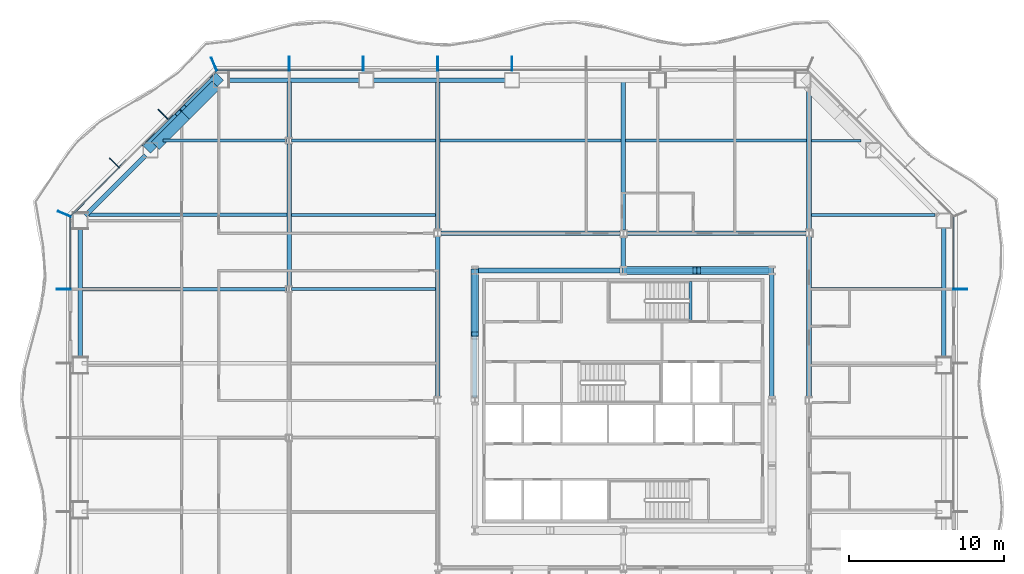
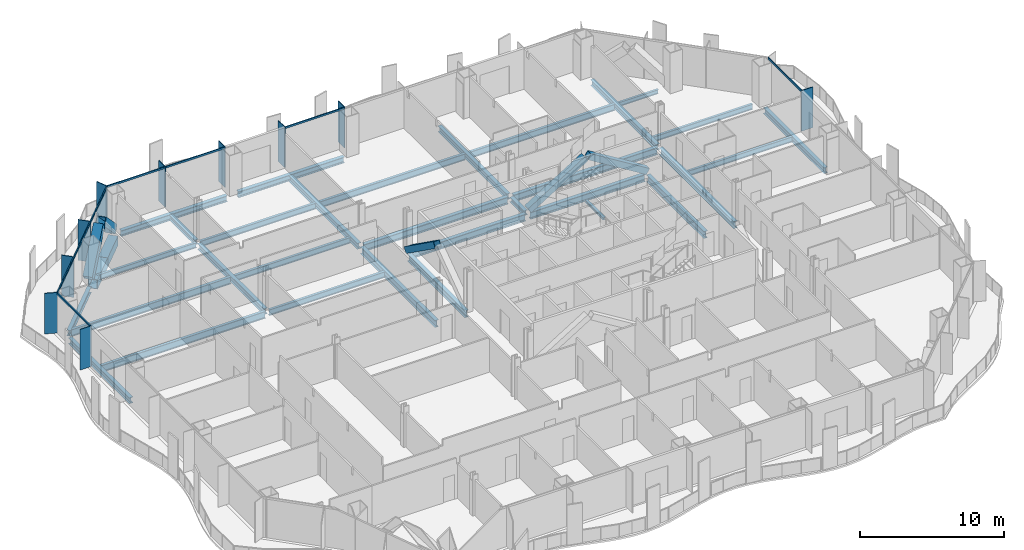
# One storey, part 3 of 21: 33 beams, 23 members, 4 elements without a shape of their own.
"""IFC4 building model written with IfcOpenShell, lengths in metres."""

import ifcopenshell
import ifcopenshell.guid

model = None  # the IFC model being written
_history = None  # IfcOwnerHistory: only IFC2X3 demands one
_inside = {}  # id of a spatial element -> (the spatial element, [elements in it])
_under = {}  # id of a project, library or spatial element -> (it, [spatial elements below it])
_declared = {}  # id of a project -> (the project, [libraries it declares])
_typed = {}  # id of a type object -> (the type object, [elements of that type])
_made_of = {}  # id of a material, layer set ... -> (it, [elements and type objects made of it])


def new_model(schema):
    """Start an empty IFC model of exactly this schema.

    Asked for "IFC4X3", IfcOpenShell would pick the latest addendum, in which some entities
    have other attributes; the version numbers below select the first issue.
    IFC2X3 requires an IfcOwnerHistory on every rooted entity: one is made here for all.
    """
    global model, _history
    if schema == "IFC4X3":
        model = ifcopenshell.file(schema_version=(4, 3, 0, 0))
    else:
        model = ifcopenshell.file(schema=schema)
    _inside.clear()
    _under.clear()
    _declared.clear()
    _typed.clear()
    _made_of.clear()
    _history = None
    if model.schema == "IFC2X3":
        org = make("IfcOrganization", Name="unknown")
        user = make(
            "IfcPersonAndOrganization",
            ThePerson=make("IfcPerson", FamilyName="unknown"),
            TheOrganization=org,
        )
        app = make(
            "IfcApplication",
            ApplicationDeveloper=org,
            Version="unknown",
            ApplicationFullName="unknown",
            ApplicationIdentifier="unknown",
        )
        _history = make(
            "IfcOwnerHistory",
            OwningUser=user,
            OwningApplication=app,
            ChangeAction="ADDED",
            CreationDate=0,
        )
    return model


def make(cls, **values):
    """One entity of the class cls with the attributes given. An attribute that is None is left unset."""
    return model.create_entity(
        cls, **{name: value for name, value in values.items() if value is not None}
    )


def rooted(cls, **values):
    """An entity with a GlobalId (a new one), such as an element, a storey or a relation."""
    return make(cls, GlobalId=ifcopenshell.guid.new(), OwnerHistory=_history, **values)


def si_unit(unit_type, name, prefix=None):
    """IfcSIUnit, for example si_unit("LENGTHUNIT", "METRE", prefix="MILLI")."""
    return make("IfcSIUnit", UnitType=unit_type, Prefix=prefix, Name=name)


def assignment(units):
    """IfcUnitAssignment: the units of a project."""
    return None if units is None else make("IfcUnitAssignment", Units=units)


def point(xyz):
    """IfcCartesianPoint."""
    return None if xyz is None else make("IfcCartesianPoint", Coordinates=xyz)


def direction(xyz):
    """IfcDirection."""
    return None if xyz is None else make("IfcDirection", DirectionRatios=xyz)


def frame(location, z_axis=None, x_axis=None):
    """IfcAxis2Placement3D, a coordinate frame: its origin and axes. An axis left out is left unset."""
    return make(
        "IfcAxis2Placement3D",
        Location=point(location),
        Axis=direction(z_axis),
        RefDirection=direction(x_axis),
    )


def frame_2d(location, x_axis=None):
    """IfcAxis2Placement2D, a coordinate frame in the plane: its origin and x axis."""
    return make(
        "IfcAxis2Placement2D", Location=point(location), RefDirection=direction(x_axis)
    )


def origin():
    """The frame at (0, 0, 0) with its axes left unset."""
    return frame((0.0, 0.0, 0.0))


def origin_2d():
    """The frame at (0, 0) in the plane with its x axis left unset."""
    return frame_2d((0.0, 0.0))


def place(relative_to, where):
    """IfcLocalPlacement: puts the frame where relative to a parent placement (None: the world)."""
    return make(
        "IfcLocalPlacement", PlacementRelTo=relative_to, RelativePlacement=where
    )


def context(
    kind, dimensions, precision=None, world=None, true_north=None, identifier=None
):
    """IfcGeometricRepresentationContext, for example the 3D "Model" context."""
    return make(
        "IfcGeometricRepresentationContext",
        ContextIdentifier=identifier,
        ContextType=kind,
        CoordinateSpaceDimension=dimensions,
        Precision=precision,
        WorldCoordinateSystem=world,
        TrueNorth=true_north,
    )


def subcontext(parent, identifier, kind, view, scale=None):
    """IfcGeometricRepresentationSubContext, for example "Body" below "Model"."""
    return make(
        "IfcGeometricRepresentationSubContext",
        ContextIdentifier=identifier,
        ContextType=kind,
        ParentContext=parent,
        TargetScale=scale,
        TargetView=view,
    )


def project(units=None, contexts=None):
    """IfcProject with its units and contexts."""
    return rooted(
        "IfcProject",
        Name="project",
        RepresentationContexts=contexts,
        UnitsInContext=assignment(units),
    )


def spatial(cls, under=None, at=None, **own):
    """A site, building, storey or space (cls), placed at a placement, below another one or the project."""
    s = rooted(cls, ObjectPlacement=at, **own)
    if under is not None:
        _under.setdefault(under.id(), (under, []))[1].append(s)
    return s


def profile(cls, at=None, kind="AREA", **sizes):
    """A parametric profile (cls). Its sizes go by their IFC names, for example OverallWidth=200.0."""
    return make(cls, ProfileType=kind, Position=at, **sizes)


def rectangle(**sizes):
    """IfcRectangleProfileDef."""
    return profile("IfcRectangleProfileDef", **sizes)


def hollow_rectangle(**sizes):
    """IfcRectangleHollowProfileDef."""
    return profile("IfcRectangleHollowProfileDef", **sizes)


def i_section(**sizes):
    """IfcIShapeProfileDef."""
    return profile("IfcIShapeProfileDef", **sizes)


def extrude(swept, where, along, depth):
    """IfcExtrudedAreaSolid: the profile swept, set in the frame where, extruded along a direction by depth."""
    return make(
        "IfcExtrudedAreaSolid",
        SweptArea=swept,
        Position=where,
        ExtrudedDirection=direction(along),
        Depth=depth,
    )


def shape(context_of_items, identifier, shape_type, items):
    """IfcShapeRepresentation: the items that make up one representation, for example the "Body"."""
    return make(
        "IfcShapeRepresentation",
        ContextOfItems=context_of_items,
        RepresentationIdentifier=identifier,
        RepresentationType=shape_type,
        Items=items,
    )


def material(Name=None, Category=None):
    """IfcMaterial."""
    return make("IfcMaterial", Name=Name, Category=Category)


def material_profile(
    of_material, cross_section, Name=None, Category=None, Priority=None
):
    """IfcMaterialProfile: a cross section and its material."""
    return make(
        "IfcMaterialProfile",
        Name=Name,
        Material=of_material,
        Profile=cross_section,
        Priority=Priority,
        Category=Category,
    )


def profile_set(profiles, Name=None, composite=None):
    """IfcMaterialProfileSet."""
    return make(
        "IfcMaterialProfileSet",
        Name=Name,
        MaterialProfiles=profiles,
        CompositeProfile=composite,
    )


def made_of(thing, what):
    """Note that an element or type object is made of a material, layer set ...; save() writes the relation."""
    if what is not None:
        _made_of.setdefault(what.id(), (what, []))[1].append(thing)
    return thing


def type_object(cls, material=None, **own):
    """A type object (cls), such as IfcWallType, which elements share."""
    return made_of(rooted(cls, **own), material)


def element(
    cls,
    number,
    at=None,
    inside=None,
    cuts=None,
    type_object=None,
    material=None,
    context=None,
    identifier="Body",
    shape_type=None,
    held_by="IfcProductDefinitionShape",
    body=None,
    shapes=None,
    **own,
):
    """One element of the class cls, such as IfcWall. Its Tag is "e" and its number.

    at: its placement. inside: the storey or other place that contains it. cuts: it is an
    opening in that element (IfcRelVoidsElement). A single representation is given by context,
    identifier, shape_type and body (its items); several are given by shapes. held_by: the class
    of the entity that holds the representations. save() writes the other relations.
    """
    e = rooted(cls, Tag="e%d" % number, ObjectPlacement=at, **own)
    if body is not None:
        shapes = [shape(context, identifier, shape_type, body)]
    if shapes is not None:
        e.Representation = make(held_by, Representations=shapes)
    if inside is not None:
        _inside.setdefault(inside.id(), (inside, []))[1].append(e)
    if cuts is not None:
        rooted(
            "IfcRelVoidsElement", RelatingBuildingElement=cuts, RelatedOpeningElement=e
        )
    if type_object is not None:
        _typed.setdefault(type_object.id(), (type_object, []))[1].append(e)
    return made_of(e, material)


def aggregate(whole, parts):
    """IfcRelAggregates: a whole, such as a stair, and the parts it consists of."""
    return rooted("IfcRelAggregates", RelatingObject=whole, RelatedObjects=parts)


def save(model, path):
    """Write the relations noted so far, then the file.

    IfcRelAggregates (storeys below a building ...), IfcRelContainedInSpatialStructure (elements
    in a storey), IfcRelDefinesByType, IfcRelAssociatesMaterial and IfcRelDeclares: one each for
    every whole, place, type object, material and project.
    """
    for whole, parts in _under.values():
        aggregate(whole, parts)
    for where, things in _inside.values():
        rooted(
            "IfcRelContainedInSpatialStructure",
            RelatedElements=things,
            RelatingStructure=where,
        )
    for kind, things in _typed.values():
        rooted("IfcRelDefinesByType", RelatedObjects=things, RelatingType=kind)
    for what, things in _made_of.values():
        rooted("IfcRelAssociatesMaterial", RelatedObjects=things, RelatingMaterial=what)
    for by, libraries in _declared.values():
        rooted("IfcRelDeclares", RelatingContext=by, RelatedDefinitions=libraries)
    model.write(path)


model = new_model("IFC4")

# Units and contexts
model_context = context("Model", 3, precision=1e-05, world=origin(), true_north=direction((0.0, 1.0)))
body_context = subcontext(model_context, "Body", "Model", "MODEL_VIEW")
ifc_project = project(units=[si_unit("LENGTHUNIT", "METRE"), si_unit("AREAUNIT", "SQUARE_METRE"), si_unit("VOLUMEUNIT", "CUBIC_METRE"), si_unit("PLANEANGLEUNIT", "RADIAN"), si_unit("MASSUNIT", "GRAM", prefix="KILO")], contexts=[model_context])

# Site, building, storey
site_placement = place(None, origin())
site = spatial("IfcSite", under=ifc_project, at=site_placement, CompositionType="ELEMENT")
building_placement = place(site_placement, origin())
building = spatial("IfcBuilding", under=site, at=building_placement, Name="Cairn Pilgrim Tower", CompositionType="ELEMENT")
storey_placement = place(building_placement, frame((0.0, 0.0, 54.60009765625)))
storey = spatial("IfcBuildingStorey", under=building, at=storey_placement, Name="L11", CompositionType="ELEMENT", Elevation=54.60009765625)

# Members
ifc_material_1 = material(Name="Structural steel S460M", Category="steel")
ifc_material_profile_1 = material_profile(ifc_material_1, hollow_rectangle(XDim=0.5, YDim=0.5, WallThickness=0.030029296875, at=origin_2d()), Name="BOX 500x500x30")
ifc_profile_set_1 = profile_set([ifc_material_profile_1], Name="Structural steel S460M")
member_type_1 = type_object("IfcMemberType", Name="BOX 500x500x30 BRACE", PredefinedType="BRACE", material=ifc_profile_set_1)
member_1_placement = place(storey_placement, frame((16.754638671875, 10.800048828125, 0.099853515625), z_axis=(-0.850917090612, 0.0, 0.525300014187), x_axis=(0.0, -1.0, 0.0)))
element("IfcMember", 1, at=member_1_placement, inside=storey, type_object=member_type_1, Name="KB-3A", PredefinedType="BRACE", context=body_context, shape_type="SweptSolid", body=[
    extrude(hollow_rectangle(XDim=0.5, YDim=0.5, WallThickness=0.030029296875, at=origin_2d()), origin(), (0.0, 0.0, 1.0), 5.525146484375),
])
member_2_placement = place(storey_placement, frame((7.245361328125, 10.800048828125, 0.099853515625), z_axis=(0.850919818074, 0.0, 0.52529559603), x_axis=(0.0, 1.0, 0.0)))
element("IfcMember", 2, at=member_2_placement, inside=storey, type_object=member_type_1, Name="KB-3B", PredefinedType="BRACE", context=body_context, shape_type="SweptSolid", body=[
    extrude(hollow_rectangle(XDim=0.5, YDim=0.5, WallThickness=0.030029296875, at=origin_2d()), origin(), (0.0, 0.0, 1.0), 5.375),
])
member_3_placement = place(storey_placement, frame((-2.39990234375, 10.754638671875, 0.099853515625), z_axis=(0.0, -0.814060275911, 0.580780394972), x_axis=(1.0, 0.0, 0.0)))
element("IfcMember", 3, at=member_3_placement, inside=storey, type_object=member_type_1, Name="KB-4A", PredefinedType="BRACE", context=body_context, shape_type="SweptSolid", body=[
    extrude(hollow_rectangle(XDim=0.5, YDim=0.5, WallThickness=0.030029296875, at=origin_2d()), origin(), (0.0, 0.0, 1.0), 4.9951171875),
])
ifc_material_profile_2 = material_profile(ifc_material_1, hollow_rectangle(XDim=0.699951171875, YDim=0.699951171875, WallThickness=0.0400390625, at=origin_2d()), Name="BOX 700x700x40")
ifc_profile_set_2 = profile_set([ifc_material_profile_2], Name="Structural steel S460M")
member_type_2 = type_object("IfcMemberType", Name="BOX 700x700x40 BRACE", PredefinedType="BRACE", material=ifc_profile_set_2)
member_4_placement = place(storey_placement, frame((-19.0498046875, 23.181396484375, 0.14990234375), z_axis=(-0.528096125699, -0.528096125699, 0.665002980477), x_axis=(0.707106781187, -0.707106781187, 0.0)))
element("IfcMember", 4, at=member_4_placement, inside=storey, type_object=member_type_2, Name="XB-NW1-NW2-1", PredefinedType="BRACE", context=body_context, shape_type="SweptSolid", body=[
    extrude(hollow_rectangle(XDim=0.699951171875, YDim=0.699951171875, WallThickness=0.0400390625, at=origin_2d()), origin(), (0.0, 0.0, 1.0), 3.89990234375),
])
member_5_placement = place(storey_placement, frame((-23.44482421875, 18.786376953125, 0.14990234375), z_axis=(0.528068439288, 0.528068439288, 0.665046950866), x_axis=(-0.707106781187, 0.707106781187, 0.0)))
element("IfcMember", 5, at=member_5_placement, inside=storey, type_object=member_type_2, Name="XB-NW1-NW2-2", PredefinedType="BRACE", context=body_context, shape_type="SweptSolid", body=[
    extrude(hollow_rectangle(XDim=0.699951171875, YDim=0.699951171875, WallThickness=0.0400390625, at=origin_2d()), origin(), (0.0, 0.0, 1.0), 3.899658203125),
])

# Beams
ifc_material_2 = material(Name="Structural steel S355J2", Category="steel")
ifc_material_profile_3 = material_profile(ifc_material_2, hollow_rectangle(XDim=0.699951171875, YDim=0.800048828125, WallThickness=0.0400390625, at=origin_2d()), Name="BOX 700x800x40")
ifc_profile_set_3 = profile_set([ifc_material_profile_3], Name="Structural steel S355J2")
beam_type_1 = type_object("IfcBeamType", Name="BOX 700x800x40 RING GIRDER", PredefinedType="SPANDREL", material=ifc_profile_set_3)
for number, where, z_axis, x_axis, name in (
    (6, (-19.1455078125, 22.78173828125, -0.550048828125), (-0.707106781187, -0.707106781187, 0.0), (0.707106781187, -0.707106781187, 0.0), "RG1-NW1-NW2-1"),
    (7, (-21.095458984375, 20.831787109375, -0.550048828125), (-0.707106781187, -0.707106781187, 0.0), (0.707106781187, -0.707106781187, 0.0), "RG1-NW1-NW2-2"),
):
    element("IfcBeam", number, at=place(storey_placement, frame(where, z_axis=z_axis, x_axis=x_axis)), inside=storey, type_object=beam_type_1, Name=name, PredefinedType="SPANDREL", context=body_context, shape_type="SweptSolid", body=[
        extrude(hollow_rectangle(XDim=0.699951171875, YDim=0.800048828125, WallThickness=0.0400390625, at=origin_2d()), origin(), (0.0, 0.0, 1.0), 2.757568359375),
    ])

# Curtain wall, member
ifc_material_3 = material(Name="Aluminium alloy 6063-T6 bronze anodised with Bronze tinted laminated low-E glass 8+16+8.8", Category="aluminium")
curtain_wall_type_1 = type_object("IfcCurtainWallType", Name="TOWER STICK CURTAIN WALL EW", PredefinedType="NOTDEFINED", material=ifc_material_3)
curtain_wall_1_placement = place(storey_placement, origin())
curtain_wall_1 = element("IfcCurtainWall", 8, at=curtain_wall_1_placement, inside=storey, type_object=curtain_wall_type_1, Name="Tower Stick Curtain Wall Ew E", PredefinedType="NOTDEFINED")
ifc_material_4 = material(Name="Aluminium alloy 6063-T6 bronze anodised", Category="aluminium")
ifc_material_profile_4 = material_profile(ifc_material_4, rectangle(XDim=0.89990234375, YDim=0.06005859375, at=origin_2d()), Name="FIN MULLION 60x900 BRONZE")
ifc_profile_set_4 = profile_set([ifc_material_profile_4], Name="Aluminium alloy 6063-T6 bronze anodised")
member_type_3 = type_object("IfcMemberType", Name="FIN MULLION 60x900 BRONZE", PredefinedType="MULLION", material=ifc_profile_set_4)
member_6_placement = place(storey_placement, frame((28.969970703125, 9.60009765625, 0.0), z_axis=(0.0, 0.0, 1.0), x_axis=(1.0, 0.0, 0.0)))
member_6 = element("IfcMember", 9, at=member_6_placement, type_object=member_type_3, Name="Fin mullion E6", PredefinedType="MULLION", context=body_context, shape_type="SweptSolid", body=[
    extrude(rectangle(XDim=0.89990234375, YDim=0.06005859375, at=origin_2d()), origin(), (0.0, 0.0, 1.0), 3.449951171875),
])

# Curtain wall, members
curtain_wall_type_2 = type_object("IfcCurtainWallType", Name="TOWER STICK CURTAIN WALL NS", PredefinedType="NOTDEFINED", material=ifc_material_3)
curtain_wall_2_placement = place(storey_placement, origin())
curtain_wall_2 = element("IfcCurtainWall", 10, at=curtain_wall_2_placement, inside=storey, type_object=curtain_wall_type_2, Name="Tower Stick Curtain Wall Ns N", PredefinedType="NOTDEFINED")
member_7_placement = place(storey_placement, frame((0.0, 24.169921875, 0.0), z_axis=(0.0, 0.0, 1.0), x_axis=(0.0, 1.0, 0.0)))
member_7 = element("IfcMember", 11, at=member_7_placement, type_object=member_type_3, Name="Fin mullion N5", PredefinedType="MULLION", context=body_context, shape_type="SweptSolid", body=[
    extrude(rectangle(XDim=0.89990234375, YDim=0.06005859375, at=origin_2d()), origin(), (0.0, 0.0, 1.0), 3.449951171875),
])
member_8_placement = place(storey_placement, frame((-4.800048828125, 24.169921875, 0.0), z_axis=(0.0, 0.0, 1.0), x_axis=(0.0, 1.0, 0.0)))
member_8 = element("IfcMember", 12, at=member_8_placement, type_object=member_type_3, Name="Fin mullion N6", PredefinedType="MULLION", context=body_context, shape_type="SweptSolid", body=[
    extrude(rectangle(XDim=0.89990234375, YDim=0.06005859375, at=origin_2d()), origin(), (0.0, 0.0, 1.0), 3.449951171875),
])
member_9_placement = place(storey_placement, frame((-9.60009765625, 24.169921875, 0.0), z_axis=(0.0, 0.0, 1.0), x_axis=(0.0, 1.0, 0.0)))
member_9 = element("IfcMember", 13, at=member_9_placement, type_object=member_type_3, Name="Fin mullion N7", PredefinedType="MULLION", context=body_context, shape_type="SweptSolid", body=[
    extrude(rectangle(XDim=0.89990234375, YDim=0.06005859375, at=origin_2d()), origin(), (0.0, 0.0, 1.0), 3.449951171875),
])
member_10_placement = place(storey_placement, frame((-14.39990234375, 24.169921875, 0.0), z_axis=(0.0, 0.0, 1.0), x_axis=(0.0, 1.0, 0.0)))
member_10 = element("IfcMember", 14, at=member_10_placement, type_object=member_type_3, Name="Fin mullion N8", PredefinedType="MULLION", context=body_context, shape_type="SweptSolid", body=[
    extrude(rectangle(XDim=0.89990234375, YDim=0.06005859375, at=origin_2d()), origin(), (0.0, 0.0, 1.0), 3.449951171875),
])

curtain_wall_type_3 = type_object("IfcCurtainWallType", Name="CHAMFER CORNER CURTAIN WALL", PredefinedType="NOTDEFINED", material=ifc_material_3)
curtain_wall_3_placement = place(storey_placement, origin())
curtain_wall_3 = element("IfcCurtainWall", 15, at=curtain_wall_3_placement, inside=storey, type_object=curtain_wall_type_3, Name="Chamfer Corner Curtain Wall NW", PredefinedType="NOTDEFINED")
member_11_placement = place(storey_placement, frame((-19.257080078125, 24.137939453125, 0.0), z_axis=(0.0, 0.0, 1.0), x_axis=(-0.382683432365, 0.923879532511, 0.0)))
member_11 = element("IfcMember", 16, at=member_11_placement, type_object=member_type_3, Name="Fin mullion NW1", PredefinedType="MULLION", context=body_context, shape_type="SweptSolid", body=[
    extrude(rectangle(XDim=0.89990234375, YDim=0.06005859375, at=origin_2d()), origin(), (0.0, 0.0, 1.0), 3.449951171875),
])
member_12_placement = place(storey_placement, frame((-22.544677734375, 20.895751953125, 0.0), z_axis=(0.0, 0.0, 1.0), x_axis=(-0.707106781187, 0.707106781187, 0.0)))
member_12 = element("IfcMember", 17, at=member_12_placement, type_object=member_type_3, Name="Fin mullion NW2", PredefinedType="MULLION", context=body_context, shape_type="SweptSolid", body=[
    extrude(rectangle(XDim=0.89990234375, YDim=0.06005859375, at=origin_2d()), origin(), (0.0, 0.0, 1.0), 3.449951171875),
])
member_13_placement = place(storey_placement, frame((-25.69580078125, 17.74462890625, 0.0), z_axis=(0.0, 0.0, 1.0), x_axis=(-0.707106781187, 0.707106781187, 0.0)))
member_13 = element("IfcMember", 18, at=member_13_placement, type_object=member_type_3, Name="Fin mullion NW3", PredefinedType="MULLION", context=body_context, shape_type="SweptSolid", body=[
    extrude(rectangle(XDim=0.89990234375, YDim=0.06005859375, at=origin_2d()), origin(), (0.0, 0.0, 1.0), 3.449951171875),
])

curtain_wall_4_placement = place(storey_placement, origin())
curtain_wall_4 = element("IfcCurtainWall", 19, at=curtain_wall_4_placement, inside=storey, type_object=curtain_wall_type_1, Name="Tower Stick Curtain Wall Ew W", PredefinedType="NOTDEFINED")
member_14_placement = place(storey_placement, frame((-28.93798828125, 14.457275390625, 0.0), z_axis=(0.0, 0.0, 1.0), x_axis=(-0.923879532511, 0.382683432365, 0.0)))
member_14 = element("IfcMember", 20, at=member_14_placement, type_object=member_type_3, Name="Fin mullion W1", PredefinedType="MULLION", context=body_context, shape_type="SweptSolid", body=[
    extrude(rectangle(XDim=0.89990234375, YDim=0.06005859375, at=origin_2d()), origin(), (0.0, 0.0, 1.0), 3.449951171875),
])
member_15_placement = place(storey_placement, frame((-28.969970703125, 9.60009765625, 0.0), z_axis=(0.0, 0.0, 1.0), x_axis=(-1.0, 0.0, 0.0)))
member_15 = element("IfcMember", 21, at=member_15_placement, type_object=member_type_3, Name="Fin mullion W2", PredefinedType="MULLION", context=body_context, shape_type="SweptSolid", body=[
    extrude(rectangle(XDim=0.89990234375, YDim=0.06005859375, at=origin_2d()), origin(), (0.0, 0.0, 1.0), 3.449951171875),
])

# Beams
ifc_material_profile_5 = material_profile(ifc_material_2, i_section(OverallWidth=0.300048828125, OverallDepth=0.39990234375, WebThickness=0.013427734375, FlangeThickness=0.02392578125, FilletRadius=0.027099609375, at=origin_2d()), Name="HEB 400")
ifc_profile_set_5 = profile_set([ifc_material_profile_5], Name="Structural steel S355J2")
beam_type_2 = type_object("IfcBeamType", Name="HEB 400 GIRDER", PredefinedType="BEAM", material=ifc_profile_set_5)
beam_1_placement = place(storey_placement, frame((-14.39990234375, 19.404541015625, -0.35009765625), z_axis=(0.0, 1.0, 0.0), x_axis=(-1.0, 0.0, 0.0)))
element("IfcBeam", 22, at=beam_1_placement, inside=storey, type_object=beam_type_2, Name="PG1-6", PredefinedType="BEAM", context=body_context, shape_type="SweptSolid", body=[
    extrude(i_section(OverallWidth=0.300048828125, OverallDepth=0.39990234375, WebThickness=0.013427734375, FlangeThickness=0.02392578125, FilletRadius=0.027099609375, at=origin_2d()), origin(), (0.0, 0.0, 1.0), 3.575439453125),
])
beam_2_placement = place(storey_placement, frame((7.199951171875, 11.027099609375, -0.35009765625), z_axis=(0.0, 1.0, 0.0), x_axis=(-1.0, 0.0, 0.0)))
element("IfcBeam", 23, at=beam_2_placement, inside=storey, type_object=beam_type_2, Name="PG3-E2", PredefinedType="BEAM", context=body_context, shape_type="SweptSolid", body=[
    extrude(i_section(OverallWidth=0.300048828125, OverallDepth=0.39990234375, WebThickness=0.013427734375, FlangeThickness=0.02392578125, FilletRadius=0.027099609375, at=origin_2d()), origin(), (0.0, 0.0, 1.0), 1.9609375),
])
ifc_material_profile_6 = material_profile(ifc_material_2, i_section(OverallWidth=0.300048828125, OverallDepth=0.5, WebThickness=0.014404296875, FlangeThickness=0.028076171875, FilletRadius=0.027099609375, at=origin_2d()), Name="HEB 500")
ifc_profile_set_6 = profile_set([ifc_material_profile_6], Name="Structural steel S355J2")
beam_type_3 = type_object("IfcBeamType", Name="HEB 500 GIRDER", PredefinedType="BEAM", material=ifc_profile_set_6)
beam_3_placement = place(storey_placement, frame((-14.39990234375, 9.804443359375, -0.400146484375), z_axis=(0.0, 1.0, 0.0), x_axis=(-1.0, 0.0, 0.0)))
element("IfcBeam", 24, at=beam_3_placement, inside=storey, type_object=beam_type_3, Name="PG1-5", PredefinedType="BEAM", context=body_context, shape_type="SweptSolid", body=[
    extrude(i_section(OverallWidth=0.300048828125, OverallDepth=0.5, WebThickness=0.014404296875, FlangeThickness=0.028076171875, FilletRadius=0.027099609375, at=origin_2d()), origin(), (0.0, 0.0, 1.0), 9.191162109375),
])
for number, where, z_axis, x_axis, name in (
    (25, (-4.800048828125, 13.412109375, -0.400146484375), (0.0, 1.0, 0.0), (-1.0, 0.0, 0.0), "PG2-4"),
    (26, (7.199951171875, 13.412109375, -0.400146484375), (0.0, 1.0, 0.0), (-1.0, 0.0, 0.0), "PG3-2"),
):
    element("IfcBeam", number, at=place(storey_placement, frame(where, z_axis=z_axis, x_axis=x_axis)), inside=storey, type_object=beam_type_3, Name=name, PredefinedType="BEAM", context=body_context, shape_type="SweptSolid", body=[
        extrude(i_section(OverallWidth=0.300048828125, OverallDepth=0.5, WebThickness=0.014404296875, FlangeThickness=0.028076171875, FilletRadius=0.027099609375, at=origin_2d()), origin(), (0.0, 0.0, 1.0), 9.56787109375),
    ])
beam_4_placement = place(storey_placement, frame((19.199951171875, 13.412109375, -0.400146484375), z_axis=(0.0, 1.0, 0.0), x_axis=(-1.0, 0.0, 0.0)))
element("IfcBeam", 27, at=beam_4_placement, inside=storey, type_object=beam_type_3, Name="PG4-4", PredefinedType="BEAM", context=body_context, shape_type="SweptSolid", body=[
    extrude(i_section(OverallWidth=0.300048828125, OverallDepth=0.5, WebThickness=0.014404296875, FlangeThickness=0.028076171875, FilletRadius=0.027099609375, at=origin_2d()), origin(), (0.0, 0.0, 1.0), 9.133056640625),
])
ifc_material_profile_7 = material_profile(ifc_material_2, i_section(OverallWidth=0.300048828125, OverallDepth=0.5, WebThickness=0.014404296875, FlangeThickness=0.028076171875, FilletRadius=0.027099609375, at=origin_2d()), Name="HEB 500")
ifc_profile_set_7 = profile_set([ifc_material_profile_7], Name="Structural steel S355J2")
beam_type_4 = type_object("IfcBeamType", Name="HEB 500 RING GIRDER", PredefinedType="SPANDREL", material=ifc_profile_set_7)
beam_5_placement = place(storey_placement, frame((27.89990234375, 5.125732421875, -0.400146484375), z_axis=(0.0, 1.0, 0.0), x_axis=(-1.0, 0.0, 0.0)))
element("IfcBeam", 28, at=beam_5_placement, inside=storey, type_object=beam_type_4, Name="RG1-E3-NE1", PredefinedType="SPANDREL", context=body_context, shape_type="SweptSolid", body=[
    extrude(i_section(OverallWidth=0.300048828125, OverallDepth=0.5, WebThickness=0.014404296875, FlangeThickness=0.028076171875, FilletRadius=0.027099609375, at=origin_2d()), origin(), (0.0, 0.0, 1.0), 8.451416015625),
])
for number, where, z_axis, x_axis, name in (
    (29, (-0.449951171875, 23.10009765625, -0.400146484375), (-1.0, 0.0, 0.0), (0.0, -1.0, 0.0), "RG1-N3-N4"),
    (30, (-9.863525390625, 23.10009765625, -0.400146484375), (-1.0, 0.0, 0.0), (0.0, -1.0, 0.0), "RG1-N4-NW1"),
):
    element("IfcBeam", number, at=place(storey_placement, frame(where, z_axis=z_axis, x_axis=x_axis)), inside=storey, type_object=beam_type_4, Name=name, PredefinedType="SPANDREL", context=body_context, shape_type="SweptSolid", body=[
        extrude(i_section(OverallWidth=0.300048828125, OverallDepth=0.5, WebThickness=0.014404296875, FlangeThickness=0.028076171875, FilletRadius=0.027099609375, at=origin_2d()), origin(), (0.0, 0.0, 1.0), 8.513671875),
    ])
beam_6_placement = place(storey_placement, frame((-23.681884765625, 18.245361328125, -0.400146484375), z_axis=(-0.707106781187, -0.707106781187, 0.0), x_axis=(0.707106781187, -0.707106781187, 0.0)))
element("IfcBeam", 31, at=beam_6_placement, inside=storey, type_object=beam_type_4, Name="RG1-NW2-W1", PredefinedType="SPANDREL", context=body_context, shape_type="SweptSolid", body=[
    extrude(i_section(OverallWidth=0.300048828125, OverallDepth=0.5, WebThickness=0.014404296875, FlangeThickness=0.028076171875, FilletRadius=0.027099609375, at=origin_2d()), origin(), (0.0, 0.0, 1.0), 5.515380859375),
])
beam_7_placement = place(storey_placement, frame((-27.89990234375, 13.5771484375, -0.400146484375), z_axis=(0.0, -1.0, 0.0), x_axis=(1.0, 0.0, 0.0)))
element("IfcBeam", 32, at=beam_7_placement, inside=storey, type_object=beam_type_4, Name="RG1-W1-W2", PredefinedType="SPANDREL", context=body_context, shape_type="SweptSolid", body=[
    extrude(i_section(OverallWidth=0.300048828125, OverallDepth=0.5, WebThickness=0.014404296875, FlangeThickness=0.028076171875, FilletRadius=0.027099609375, at=origin_2d()), origin(), (0.0, 0.0, 1.0), 8.451416015625),
])
ifc_material_profile_8 = material_profile(ifc_material_2, i_section(OverallWidth=0.300048828125, OverallDepth=0.60009765625, WebThickness=0.015380859375, FlangeThickness=0.030029296875, FilletRadius=0.027099609375, at=origin_2d()), Name="HEB 600")
ifc_profile_set_8 = profile_set([ifc_material_profile_8], Name="Structural steel S355J2")
beam_type_5 = type_object("IfcBeamType", Name="HEB 600 CORE BEAM", PredefinedType="BEAM", material=ifc_profile_set_8)
beam_8_placement = place(storey_placement, frame((16.800048828125, 2.604248046875, -0.4501953125), z_axis=(0.0, 1.0, 0.0), x_axis=(-1.0, 0.0, 0.0)))
element("IfcBeam", 33, at=beam_8_placement, inside=storey, type_object=beam_type_5, Name="CB-4", PredefinedType="BEAM", context=body_context, shape_type="SweptSolid", body=[
    extrude(i_section(OverallWidth=0.300048828125, OverallDepth=0.60009765625, WebThickness=0.015380859375, FlangeThickness=0.030029296875, FilletRadius=0.027099609375, at=origin_2d()), origin(), (0.0, 0.0, 1.0), 7.991455078125),
])
for number, where, z_axis, x_axis, name in (
    (34, (16.595703125, 10.800048828125, -0.4501953125), (-1.0, 0.0, 0.0), (0.0, -1.0, 0.0), "CB-5"),
    (35, (6.99560546875, 10.800048828125, -0.4501953125), (-1.0, 0.0, 0.0), (0.0, -1.0, 0.0), "CB-6"),
):
    element("IfcBeam", number, at=place(storey_placement, frame(where, z_axis=z_axis, x_axis=x_axis)), inside=storey, type_object=beam_type_5, Name=name, PredefinedType="BEAM", context=body_context, shape_type="SweptSolid", body=[
        extrude(i_section(OverallWidth=0.300048828125, OverallDepth=0.60009765625, WebThickness=0.015380859375, FlangeThickness=0.030029296875, FilletRadius=0.027099609375, at=origin_2d()), origin(), (0.0, 0.0, 1.0), 9.19140625),
    ])
beam_9_placement = place(storey_placement, frame((-2.39990234375, 10.595703125, -0.4501953125), z_axis=(0.0, -1.0, 0.0), x_axis=(1.0, 0.0, 0.0)))
element("IfcBeam", 36, at=beam_9_placement, inside=storey, type_object=beam_type_5, Name="CB-7", PredefinedType="BEAM", context=body_context, shape_type="SweptSolid", body=[
    extrude(i_section(OverallWidth=0.300048828125, OverallDepth=0.60009765625, WebThickness=0.015380859375, FlangeThickness=0.030029296875, FilletRadius=0.027099609375, at=origin_2d()), origin(), (0.0, 0.0, 1.0), 7.991455078125),
])
ifc_material_profile_9 = material_profile(ifc_material_2, i_section(OverallWidth=0.300048828125, OverallDepth=0.60009765625, WebThickness=0.015380859375, FlangeThickness=0.030029296875, FilletRadius=0.027099609375, at=origin_2d()), Name="HEB 600")
ifc_profile_set_9 = profile_set([ifc_material_profile_9], Name="Structural steel S355J2")
beam_type_6 = type_object("IfcBeamType", Name="HEB 600 GIRDER", PredefinedType="BEAM", material=ifc_profile_set_9)
for number, where, z_axis, x_axis, name in (
    (37, (-4.800048828125, 2.612060546875, -0.4501953125), (0.0, 1.0, 0.0), (-1.0, 0.0, 0.0), "PG2-3"),
    (38, (19.199951171875, 2.612060546875, -0.4501953125), (0.0, 1.0, 0.0), (-1.0, 0.0, 0.0), "PG4-3"),
):
    element("IfcBeam", number, at=place(storey_placement, frame(where, z_axis=z_axis, x_axis=x_axis)), inside=storey, type_object=beam_type_6, Name=name, PredefinedType="BEAM", context=body_context, shape_type="SweptSolid", body=[
        extrude(i_section(OverallWidth=0.300048828125, OverallDepth=0.60009765625, WebThickness=0.015380859375, FlangeThickness=0.030029296875, FilletRadius=0.027099609375, at=origin_2d()), origin(), (0.0, 0.0, 1.0), 10.3759765625),
    ])
ifc_material_profile_10 = material_profile(ifc_material_2, i_section(OverallWidth=0.300048828125, OverallDepth=0.60009765625, WebThickness=0.015380859375, FlangeThickness=0.030029296875, FilletRadius=0.027099609375, at=origin_2d()), Name="HEB 600")
ifc_profile_set_10 = profile_set([ifc_material_profile_10], Name="Structural steel S355J2")
beam_type_7 = type_object("IfcBeamType", Name="HEB 600 INNER GIRDER", PredefinedType="BEAM", material=ifc_profile_set_10)
for number, where, z_axis, x_axis, name in (
    (39, (-4.587890625, 13.199951171875, -0.4501953125), (1.0, 0.0, 0.0), (0.0, 1.0, 0.0), "IG2-1"),
    (40, (7.412109375, 13.199951171875, -0.4501953125), (1.0, 0.0, 0.0), (0.0, 1.0, 0.0), "IG2-2"),
):
    element("IfcBeam", number, at=place(storey_placement, frame(where, z_axis=z_axis, x_axis=x_axis)), inside=storey, type_object=beam_type_7, Name=name, PredefinedType="BEAM", context=body_context, shape_type="SweptSolid", body=[
        extrude(i_section(OverallWidth=0.300048828125, OverallDepth=0.60009765625, WebThickness=0.015380859375, FlangeThickness=0.030029296875, FilletRadius=0.027099609375, at=origin_2d()), origin(), (0.0, 0.0, 1.0), 11.575927734375),
    ])
ifc_material_profile_11 = material_profile(ifc_material_2, i_section(OverallWidth=0.169921875, OverallDepth=0.360107421875, WebThickness=0.008056640625, FlangeThickness=0.0126953125, FilletRadius=0.01806640625, at=origin_2d()), Name="IPE 360")
ifc_profile_set_11 = profile_set([ifc_material_profile_11], Name="Structural steel S355J2")
beam_type_8 = type_object("IfcBeamType", Name="IPE 360 SECONDARY BEAM", PredefinedType="JOIST", material=ifc_profile_set_11)
beam_10_placement = place(storey_placement, frame((19.35009765625, 19.199951171875, -0.330078125), z_axis=(1.0, 0.0, 0.0), x_axis=(0.0, 1.0, 0.0)))
element("IfcBeam", 41, at=beam_10_placement, inside=storey, type_object=beam_type_8, Name="SB9-5", PredefinedType="JOIST", context=body_context, shape_type="SweptSolid", body=[
    extrude(i_section(OverallWidth=0.169921875, OverallDepth=0.360107421875, WebThickness=0.008056640625, FlangeThickness=0.0126953125, FilletRadius=0.01806640625, at=origin_2d()), origin(), (0.0, 0.0, 1.0), 3.195068359375),
])
ifc_material_profile_12 = material_profile(ifc_material_2, i_section(OverallWidth=0.18994140625, OverallDepth=0.449951171875, WebThickness=0.009521484375, FlangeThickness=0.0146484375, FilletRadius=0.02099609375, at=origin_2d()), Name="IPE 450")
ifc_profile_set_12 = profile_set([ifc_material_profile_12], Name="Structural steel S355J2")
beam_type_9 = type_object("IfcBeamType", Name="IPE 450 SECONDARY BEAM", PredefinedType="JOIST", material=ifc_profile_set_12)
beam_11_placement = place(storey_placement, frame((19.35009765625, 9.60009765625, -0.375), z_axis=(1.0, 0.0, 0.0), x_axis=(0.0, 1.0, 0.0)))
element("IfcBeam", 42, at=beam_11_placement, inside=storey, type_object=beam_type_9, Name="SB7-3", PredefinedType="JOIST", context=body_context, shape_type="SweptSolid", body=[
    extrude(i_section(OverallWidth=0.18994140625, OverallDepth=0.449951171875, WebThickness=0.009521484375, FlangeThickness=0.0146484375, FilletRadius=0.02099609375, at=origin_2d()), origin(), (0.0, 0.0, 1.0), 8.429931640625),
])
for number, where, z_axis, x_axis, name in (
    (43, (19.35009765625, 14.39990234375, -0.375), (1.0, 0.0, 0.0), (0.0, 1.0, 0.0), "SB8-3"),
    (44, (-22.545166015625, 19.199951171875, -0.375), (1.0, 0.0, 0.0), (0.0, 1.0, 0.0), "SB9-1"),
):
    element("IfcBeam", number, at=place(storey_placement, frame(where, z_axis=z_axis, x_axis=x_axis)), inside=storey, type_object=beam_type_9, Name=name, PredefinedType="JOIST", context=body_context, shape_type="SweptSolid", body=[
        extrude(i_section(OverallWidth=0.18994140625, OverallDepth=0.449951171875, WebThickness=0.009521484375, FlangeThickness=0.0146484375, FilletRadius=0.02099609375, at=origin_2d()), origin(), (0.0, 0.0, 1.0), 7.9951171875),
    ])
ifc_material_profile_13 = material_profile(ifc_material_2, i_section(OverallWidth=0.199951171875, OverallDepth=0.5, WebThickness=0.01025390625, FlangeThickness=0.01611328125, FilletRadius=0.02099609375, at=origin_2d()), Name="IPE 500")
ifc_profile_set_13 = profile_set([ifc_material_profile_13], Name="Structural steel S355J2")
beam_type_10 = type_object("IfcBeamType", Name="IPE 500 SECONDARY BEAM", PredefinedType="JOIST", material=ifc_profile_set_13)
for number, where, z_axis, x_axis, name in (
    (45, (-14.25, 9.60009765625, -0.400146484375), (1.0, 0.0, 0.0), (0.0, 1.0, 0.0), "SB7-2"),
    (46, (-14.25, 14.39990234375, -0.400146484375), (1.0, 0.0, 0.0), (0.0, 1.0, 0.0), "SB8-2"),
    (47, (-14.25, 19.199951171875, -0.400146484375), (1.0, 0.0, 0.0), (0.0, 1.0, 0.0), "SB9-2"),
):
    element("IfcBeam", number, at=place(storey_placement, frame(where, z_axis=z_axis, x_axis=x_axis)), inside=storey, type_object=beam_type_10, Name=name, PredefinedType="JOIST", context=body_context, shape_type="SweptSolid", body=[
        extrude(i_section(OverallWidth=0.199951171875, OverallDepth=0.5, WebThickness=0.01025390625, FlangeThickness=0.01611328125, FilletRadius=0.02099609375, at=origin_2d()), origin(), (0.0, 0.0, 1.0), 9.300048828125),
    ])
ifc_material_profile_14 = material_profile(ifc_material_2, i_section(OverallWidth=0.2099609375, OverallDepth=0.550048828125, WebThickness=0.010986328125, FlangeThickness=0.01708984375, FilletRadius=0.02392578125, at=origin_2d()), Name="IPE 550")
ifc_profile_set_14 = profile_set([ifc_material_profile_14], Name="Structural steel S355J2")
beam_type_11 = type_object("IfcBeamType", Name="IPE 550 SECONDARY BEAM", PredefinedType="JOIST", material=ifc_profile_set_14)
for number, where, z_axis, x_axis, name in (
    (48, (-4.64990234375, 19.199951171875, -0.425048828125), (1.0, 0.0, 0.0), (0.0, 1.0, 0.0), "SB9-3"),
    (49, (7.35009765625, 19.199951171875, -0.425048828125), (1.0, 0.0, 0.0), (0.0, 1.0, 0.0), "SB9-4"),
):
    element("IfcBeam", number, at=place(storey_placement, frame(where, z_axis=z_axis, x_axis=x_axis)), inside=storey, type_object=beam_type_11, Name=name, PredefinedType="JOIST", context=body_context, shape_type="SweptSolid", body=[
        extrude(i_section(OverallWidth=0.2099609375, OverallDepth=0.550048828125, WebThickness=0.010986328125, FlangeThickness=0.01708984375, FilletRadius=0.02392578125, at=origin_2d()), origin(), (0.0, 0.0, 1.0), 11.699951171875),
    ])
ifc_material_profile_15 = material_profile(ifc_material_2, i_section(OverallWidth=0.219970703125, OverallDepth=0.60009765625, WebThickness=0.011962890625, FlangeThickness=0.01904296875, FilletRadius=0.02392578125, at=origin_2d()), Name="IPE 600")
ifc_profile_set_15 = profile_set([ifc_material_profile_15], Name="Structural steel S355J2")
beam_type_12 = type_object("IfcBeamType", Name="IPE 600 SECONDARY BEAM", PredefinedType="JOIST", material=ifc_profile_set_15)
beam_12_placement = place(storey_placement, frame((-27.780029296875, 9.60009765625, -0.4501953125), z_axis=(1.0, 0.0, 0.0), x_axis=(0.0, 1.0, 0.0)))
element("IfcBeam", 50, at=beam_12_placement, inside=storey, type_object=beam_type_12, Name="SB7-1", PredefinedType="JOIST", context=body_context, shape_type="SweptSolid", body=[
    extrude(i_section(OverallWidth=0.219970703125, OverallDepth=0.60009765625, WebThickness=0.011962890625, FlangeThickness=0.01904296875, FilletRadius=0.02392578125, at=origin_2d()), origin(), (0.0, 0.0, 1.0), 13.22998046875),
])
beam_13_placement = place(storey_placement, frame((-27.34521484375, 14.39990234375, -0.4501953125), z_axis=(1.0, 0.0, 0.0), x_axis=(0.0, 1.0, 0.0)))
element("IfcBeam", 51, at=beam_13_placement, inside=storey, type_object=beam_type_12, Name="SB8-1", PredefinedType="JOIST", context=body_context, shape_type="SweptSolid", body=[
    extrude(i_section(OverallWidth=0.219970703125, OverallDepth=0.60009765625, WebThickness=0.011962890625, FlangeThickness=0.01904296875, FilletRadius=0.02392578125, at=origin_2d()), origin(), (0.0, 0.0, 1.0), 12.795166015625),
])
ifc_material_profile_16 = material_profile(ifc_material_2, i_section(OverallWidth=0.199951171875, OverallDepth=0.199951171875, WebThickness=0.009033203125, FlangeThickness=0.014892578125, FilletRadius=0.01806640625, at=origin_2d()), Name="HE 200 B")
ifc_profile_set_16 = profile_set([ifc_material_profile_16], Name="Structural steel S355J2")
beam_type_13 = type_object("IfcBeamType", Name="STAIR LANDING BEAM HE 200 B", PredefinedType="BEAM", material=ifc_profile_set_16)
beam_14_placement = place(storey_placement, frame((11.5244140625, 10.10009765625, -0.25), z_axis=(0.0, -1.0, 0.0), x_axis=(1.0, 0.0, 0.0)))
element("IfcBeam", 52, at=beam_14_placement, inside=storey, type_object=beam_type_13, Name="STAIR LANDING BEAM LD-HE200B", PredefinedType="BEAM", context=body_context, shape_type="SweptSolid", body=[
    extrude(i_section(OverallWidth=0.199951171875, OverallDepth=0.199951171875, WebThickness=0.009033203125, FlangeThickness=0.014892578125, FilletRadius=0.01806640625, at=origin_2d()), origin(), (0.0, 0.0, 1.0), 2.525146484375),
])

# Member
ifc_material_profile_17 = material_profile(ifc_material_4, rectangle(XDim=0.080078125, YDim=0.14990234375, at=origin_2d()), Name="TRANSOM 80x150 BRONZE")
ifc_profile_set_17 = profile_set([ifc_material_profile_17], Name="Aluminium alloy 6063-T6 bronze anodised")
member_type_4 = type_object("IfcMemberType", Name="TRANSOM 80x150 BRONZE", PredefinedType="USERDEFINED", material=ifc_profile_set_17)
member_16_placement = place(storey_placement, frame((28.550048828125, 9.6298828125, 3.375), z_axis=(0.0, 1.0, 0.0), x_axis=(-1.0, 0.0, 0.0)))
member_16 = element("IfcMember", 53, at=member_16_placement, type_object=member_type_4, Name="Transom E6", ObjectType="TRANSOM", PredefinedType="USERDEFINED", context=body_context, shape_type="SweptSolid", body=[
    extrude(rectangle(XDim=0.080078125, YDim=0.14990234375, at=origin_2d()), origin(), (0.0, 0.0, 1.0), 4.62646484375),
])

aggregate(curtain_wall_1, [member_6, member_16])

member_17_placement = place(storey_placement, frame((-0.030029296875, 23.75, 3.375), z_axis=(-1.0, 0.0, 0.0), x_axis=(0.0, -1.0, 0.0)))
member_17 = element("IfcMember", 54, at=member_17_placement, type_object=member_type_4, Name="Transom N5", ObjectType="TRANSOM", PredefinedType="USERDEFINED", context=body_context, shape_type="SweptSolid", body=[
    extrude(rectangle(XDim=0.080078125, YDim=0.14990234375, at=origin_2d()), origin(), (0.0, 0.0, 1.0), 4.739990234375),
])

member_18_placement = place(storey_placement, frame((-9.6298828125, 23.75, 3.375), z_axis=(-1.0, 0.0, 0.0), x_axis=(0.0, -1.0, 0.0)))
member_18 = element("IfcMember", 55, at=member_18_placement, type_object=member_type_4, Name="Transom N7", ObjectType="TRANSOM", PredefinedType="USERDEFINED", context=body_context, shape_type="SweptSolid", body=[
    extrude(rectangle(XDim=0.080078125, YDim=0.14990234375, at=origin_2d()), origin(), (0.0, 0.0, 1.0), 4.740234375),
])

member_19_placement = place(storey_placement, frame((-14.429931640625, 23.75, 3.375), z_axis=(-1.0, 0.0, 0.0), x_axis=(0.0, -1.0, 0.0)))
member_19 = element("IfcMember", 56, at=member_19_placement, type_object=member_type_4, Name="Transom N8", ObjectType="TRANSOM", PredefinedType="USERDEFINED", context=body_context, shape_type="SweptSolid", body=[
    extrude(rectangle(XDim=0.080078125, YDim=0.14990234375, at=origin_2d()), origin(), (0.0, 0.0, 1.0), 4.62646484375),
])

aggregate(curtain_wall_2, [member_7, member_8, member_9, member_10, member_17, member_18, member_19])

member_20_placement = place(storey_placement, frame((-19.124755859375, 23.7216796875, 3.375), z_axis=(-0.707106781187, -0.707106781187, 0.0), x_axis=(0.707106781187, -0.707106781187, 0.0)))
member_20 = element("IfcMember", 57, at=member_20_placement, type_object=member_type_4, Name="Transom NW1", ObjectType="TRANSOM", PredefinedType="USERDEFINED", context=body_context, shape_type="SweptSolid", body=[
    extrude(rectangle(XDim=0.080078125, YDim=0.14990234375, at=origin_2d()), origin(), (0.0, 0.0, 1.0), 4.38623046875),
])

member_21_placement = place(storey_placement, frame((-22.268798828125, 20.57763671875, 3.375), z_axis=(-0.707106781187, -0.707106781187, 0.0), x_axis=(0.707106781187, -0.707106781187, 0.0)))
member_21 = element("IfcMember", 58, at=member_21_placement, type_object=member_type_4, Name="Transom NW2", ObjectType="TRANSOM", PredefinedType="USERDEFINED", context=body_context, shape_type="SweptSolid", body=[
    extrude(rectangle(XDim=0.080078125, YDim=0.14990234375, at=origin_2d()), origin(), (0.0, 0.0, 1.0), 4.396728515625),
])

member_22_placement = place(storey_placement, frame((-25.419921875, 17.426513671875, 3.375), z_axis=(-0.707106781187, -0.707106781187, 0.0), x_axis=(0.707106781187, -0.707106781187, 0.0)))
member_22 = element("IfcMember", 59, at=member_22_placement, type_object=member_type_4, Name="Transom NW3", ObjectType="TRANSOM", PredefinedType="USERDEFINED", context=body_context, shape_type="SweptSolid", body=[
    extrude(rectangle(XDim=0.080078125, YDim=0.14990234375, at=origin_2d()), origin(), (0.0, 0.0, 1.0), 4.38671875),
])

aggregate(curtain_wall_3, [member_11, member_12, member_13, member_20, member_21, member_22])

member_23_placement = place(storey_placement, frame((-28.550048828125, 14.25634765625, 3.375), z_axis=(0.0, -1.0, 0.0), x_axis=(1.0, 0.0, 0.0)))
member_23 = element("IfcMember", 60, at=member_23_placement, type_object=member_type_4, Name="Transom W1", ObjectType="TRANSOM", PredefinedType="USERDEFINED", context=body_context, shape_type="SweptSolid", body=[
    extrude(rectangle(XDim=0.080078125, YDim=0.14990234375, at=origin_2d()), origin(), (0.0, 0.0, 1.0), 4.62646484375),
])

aggregate(curtain_wall_4, [member_14, member_15, member_23])

save(model, "model.ifc")
